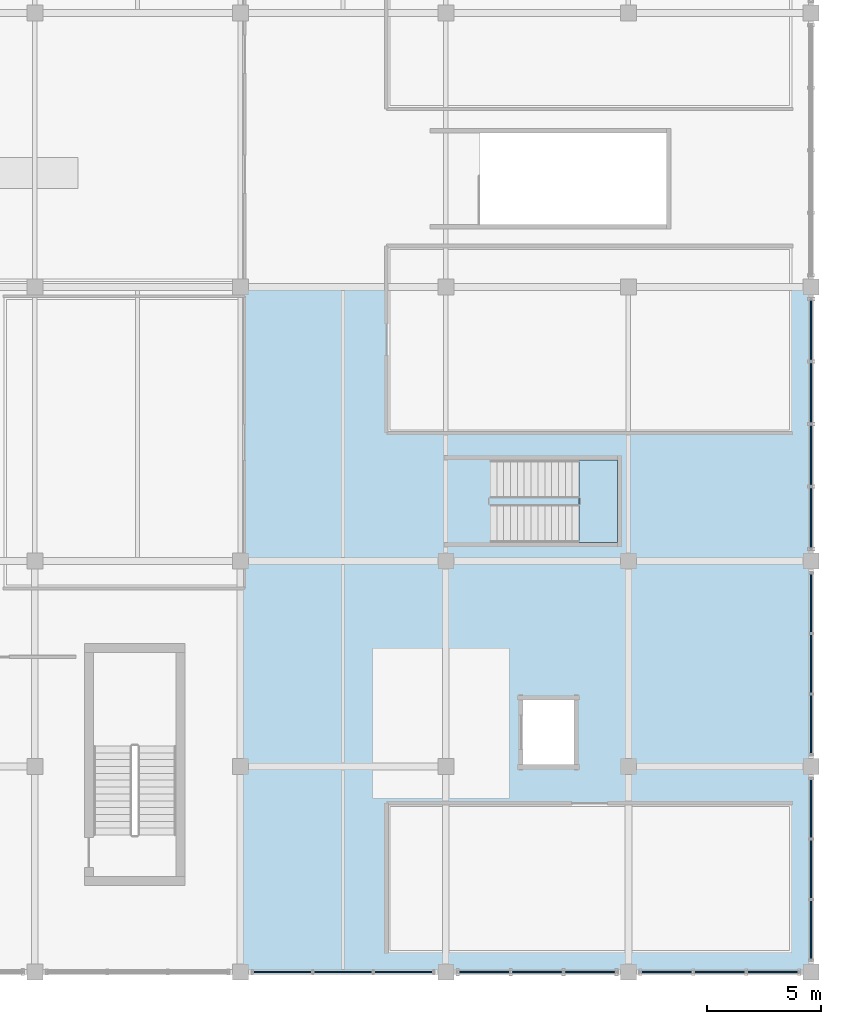
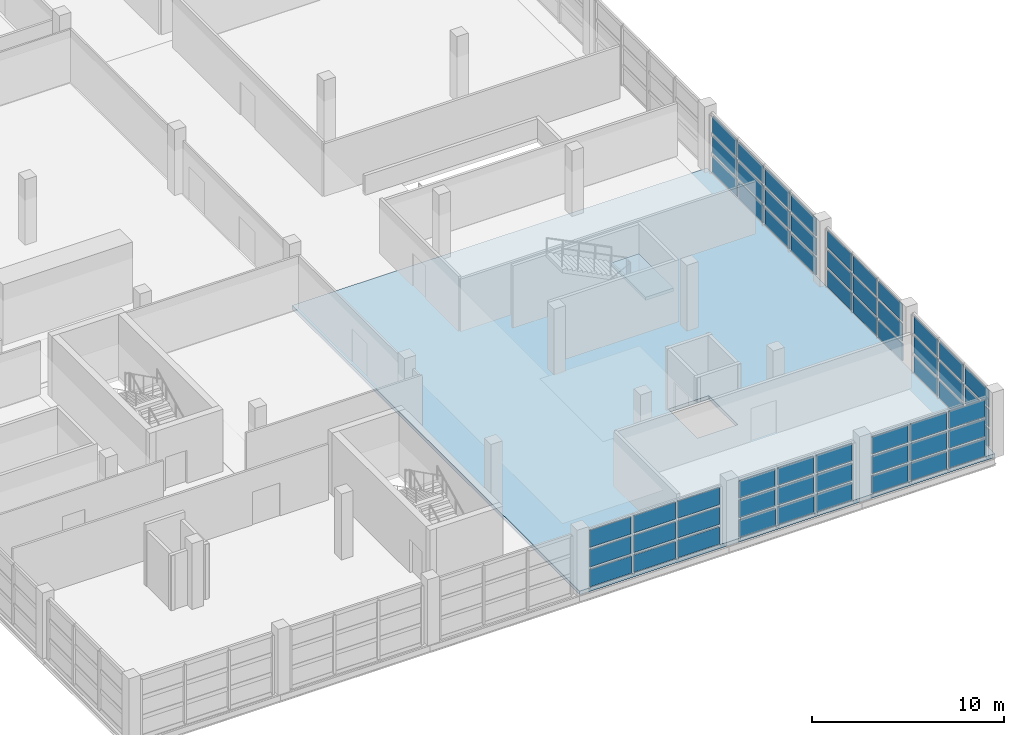
# One storey, part 111 of 136: 57 plates, 2 slabs, 7 elements without a shape of their own.
"""IFC4 building model written with IfcOpenShell, lengths in metres."""

from ifc_helpers import new_model, si_unit, direction, frame, origin, origin_2d, place, context, subcontext, project, spatial, polyline, rectangle, outline, extrude, material, layer, layer_set, type_object, element, aggregate, save


model = new_model("IFC4")

# Units and contexts
model_context = context("Model", 3, precision=1e-05, world=origin(), true_north=direction((0.0, 1.0)))
body_context = subcontext(model_context, "Body", "Model", "MODEL_VIEW")
ifc_project = project(units=[si_unit("LENGTHUNIT", "METRE"), si_unit("AREAUNIT", "SQUARE_METRE"), si_unit("VOLUMEUNIT", "CUBIC_METRE"), si_unit("PLANEANGLEUNIT", "RADIAN"), si_unit("MASSUNIT", "GRAM", prefix="KILO")], contexts=[model_context])

# Site, building, storey
site_placement = place(None, origin())
site = spatial("IfcSite", under=ifc_project, at=site_placement, CompositionType="ELEMENT")
building_placement = place(site_placement, origin())
building = spatial("IfcBuilding", under=site, at=building_placement, Name="Chuanluo Vaults Station", CompositionType="ELEMENT")
storey_placement = place(building_placement, frame((0.0, 0.0, 6.60009765625)))
storey = spatial("IfcBuildingStorey", under=building, at=storey_placement, Name="L01", CompositionType="ELEMENT", Elevation=6.60009765625)

# Curtain wall, plates
ifc_material_1 = material(Name="Anodised aluminium 6063-T6", Category="aluminium")
curtain_wall_type_1 = type_object("IfcCurtainWallType", Name="CW-SYS-13", PredefinedType="NOTDEFINED", material=ifc_material_1)
curtain_wall_1_placement = place(storey_placement, origin())
curtain_wall_1 = element("IfcCurtainWall", 1, at=curtain_wall_1_placement, inside=storey, type_object=curtain_wall_type_1, Name="Retail pavilion L01 facade CW", PredefinedType="NOTDEFINED")
ifc_material_2 = material(Name="Ceramic-fritted spandrel glass", Category="glass")
ifc_layer_1 = layer(ifc_material_2, 0.06396484375)
ifc_layer_set_1 = layer_set([ifc_layer_1], Name="Ceramic-fritted spandrel glass")
plate_type_1 = type_object("IfcPlateType", Name="CWP-SPN-42", PredefinedType="SHEET", material=ifc_layer_set_1)
plate_1_placement = place(storey_placement, frame((178.316650390625, 0.0, 0.080078125), z_axis=(0.0, 0.0, 1.0), x_axis=(-1.0, 0.0, 0.0)))
plate_1 = element("IfcPlate", 2, at=plate_1_placement, type_object=plate_type_1, Name="Retail pavilion L01 facade CW glazed panel 1.1", PredefinedType="SHEET", context=body_context, shape_type="SweptSolid", body=[
    extrude(rectangle(XDim=2.15673828125, YDim=0.06396484375, at=origin_2d()), origin(), (0.0, 0.0, 1.0), 1.090087890625),
])
plate_2_placement = place(storey_placement, frame((176.0, 0.0, 0.080078125), z_axis=(0.0, 0.0, 1.0), x_axis=(-1.0, 0.0, 0.0)))
plate_2 = element("IfcPlate", 3, at=plate_2_placement, type_object=plate_type_1, Name="Retail pavilion L01 facade CW glazed panel 2.1", PredefinedType="SHEET", context=body_context, shape_type="SweptSolid", body=[
    extrude(rectangle(XDim=2.15673828125, YDim=0.06396484375, at=origin_2d()), origin(), (0.0, 0.0, 1.0), 1.090087890625),
])
plate_3_placement = place(storey_placement, frame((173.683349609375, 0.0, 0.080078125), z_axis=(0.0, 0.0, 1.0), x_axis=(-1.0, 0.0, 0.0)))
plate_3 = element("IfcPlate", 4, at=plate_3_placement, type_object=plate_type_1, Name="Retail pavilion L01 facade CW glazed panel 3.1", PredefinedType="SHEET", context=body_context, shape_type="SweptSolid", body=[
    extrude(rectangle(XDim=2.15673828125, YDim=0.06396484375, at=origin_2d()), origin(), (0.0, 0.0, 1.0), 1.090087890625),
])

ifc_material_3 = material(Name="Anodised aluminium 6063-T6", Category="aluminium")
curtain_wall_type_2 = type_object("IfcCurtainWallType", Name="CW-SYS-15", PredefinedType="NOTDEFINED", material=ifc_material_3)
curtain_wall_2_placement = place(storey_placement, origin())
curtain_wall_2 = element("IfcCurtainWall", 5, at=curtain_wall_2_placement, inside=storey, type_object=curtain_wall_type_2, Name="Retail pavilion L01 facade CW", PredefinedType="NOTDEFINED")
plate_4_placement = place(storey_placement, frame((188.0, 7.14990234375, 0.080078125), z_axis=(0.0, 0.0, 1.0), x_axis=(0.0, -1.0, 0.0)))
plate_4 = element("IfcPlate", 6, at=plate_4_placement, type_object=plate_type_1, Name="Retail pavilion L01 facade CW glazed panel 1.1", PredefinedType="SHEET", context=body_context, shape_type="SweptSolid", body=[
    extrude(rectangle(XDim=2.489990234375, YDim=0.06396484375, at=origin_2d()), origin(), (0.0, 0.0, 1.0), 1.090087890625),
])
plate_5_placement = place(storey_placement, frame((188.0, 4.5, 0.080078125), z_axis=(0.0, 0.0, 1.0), x_axis=(0.0, -1.0, 0.0)))
plate_5 = element("IfcPlate", 7, at=plate_5_placement, type_object=plate_type_1, Name="Retail pavilion L01 facade CW glazed panel 2.1", PredefinedType="SHEET", context=body_context, shape_type="SweptSolid", body=[
    extrude(rectangle(XDim=2.489990234375, YDim=0.06396484375, at=origin_2d()), origin(), (0.0, 0.0, 1.0), 1.090087890625),
])
plate_6_placement = place(storey_placement, frame((188.0, 1.85009765625, 0.080078125), z_axis=(0.0, 0.0, 1.0), x_axis=(0.0, -1.0, 0.0)))
plate_6 = element("IfcPlate", 8, at=plate_6_placement, type_object=plate_type_1, Name="Retail pavilion L01 facade CW glazed panel 3.1", PredefinedType="SHEET", context=body_context, shape_type="SweptSolid", body=[
    extrude(rectangle(XDim=2.489990234375, YDim=0.06396484375, at=origin_2d()), origin(), (0.0, 0.0, 1.0), 1.090087890625),
])

ifc_material_4 = material(Name="Anodised aluminium 6063-T6", Category="aluminium")
curtain_wall_type_3 = type_object("IfcCurtainWallType", Name="CW-SYS-17", PredefinedType="NOTDEFINED", material=ifc_material_4)
curtain_wall_3_placement = place(storey_placement, origin())
curtain_wall_3 = element("IfcCurtainWall", 9, at=curtain_wall_3_placement, inside=storey, type_object=curtain_wall_type_3, Name="Retail pavilion L01 facade CW", PredefinedType="NOTDEFINED")
plate_7_placement = place(storey_placement, frame((188.0, 28.106201171875, 0.080078125), z_axis=(0.0, 0.0, 1.0), x_axis=(0.0, -1.0, 0.0)))
plate_7 = element("IfcPlate", 10, at=plate_7_placement, type_object=plate_type_1, Name="Retail pavilion L01 facade CW glazed panel 1.1", PredefinedType="SHEET", context=body_context, shape_type="SweptSolid", body=[
    extrude(rectangle(XDim=2.577392578125, YDim=0.06396484375, at=origin_2d()), origin(), (0.0, 0.0, 1.0), 1.090087890625),
])
plate_8_placement = place(storey_placement, frame((188.0, 25.36865234375, 0.080078125), z_axis=(0.0, 0.0, 1.0), x_axis=(0.0, -1.0, 0.0)))
plate_8 = element("IfcPlate", 11, at=plate_8_placement, type_object=plate_type_1, Name="Retail pavilion L01 facade CW glazed panel 2.1", PredefinedType="SHEET", context=body_context, shape_type="SweptSolid", body=[
    extrude(rectangle(XDim=2.577392578125, YDim=0.06396484375, at=origin_2d()), origin(), (0.0, 0.0, 1.0), 1.090087890625),
])
plate_9_placement = place(storey_placement, frame((188.0, 22.63134765625, 0.080078125), z_axis=(0.0, 0.0, 1.0), x_axis=(0.0, -1.0, 0.0)))
plate_9 = element("IfcPlate", 12, at=plate_9_placement, type_object=plate_type_1, Name="Retail pavilion L01 facade CW glazed panel 3.1", PredefinedType="SHEET", context=body_context, shape_type="SweptSolid", body=[
    extrude(rectangle(XDim=2.577392578125, YDim=0.06396484375, at=origin_2d()), origin(), (0.0, 0.0, 1.0), 1.090087890625),
])
plate_10_placement = place(storey_placement, frame((188.0, 19.893798828125, 0.080078125), z_axis=(0.0, 0.0, 1.0), x_axis=(0.0, -1.0, 0.0)))
plate_10 = element("IfcPlate", 13, at=plate_10_placement, type_object=plate_type_1, Name="Retail pavilion L01 facade CW glazed panel 4.1", PredefinedType="SHEET", context=body_context, shape_type="SweptSolid", body=[
    extrude(rectangle(XDim=2.577392578125, YDim=0.06396484375, at=origin_2d()), origin(), (0.0, 0.0, 1.0), 1.090087890625),
])

ifc_material_5 = material(Name="Anodised aluminium 6063-T6", Category="aluminium")
curtain_wall_type_4 = type_object("IfcCurtainWallType", Name="CW-SYS-12", PredefinedType="NOTDEFINED", material=ifc_material_5)
curtain_wall_4_placement = place(storey_placement, origin())
curtain_wall_4 = element("IfcCurtainWall", 14, at=curtain_wall_4_placement, inside=storey, type_object=curtain_wall_type_4, Name="Retail pavilion L01 facade CW", PredefinedType="NOTDEFINED")
ifc_material_6 = material(Name="Ceramic-fritted spandrel glass", Category="glass")
ifc_layer_2 = layer(ifc_material_6, 0.070068359375)
ifc_layer_set_2 = layer_set([ifc_layer_2], Name="Ceramic-fritted spandrel glass")
plate_type_2 = type_object("IfcPlateType", Name="CWP-SPN-50", PredefinedType="SHEET", material=ifc_layer_set_2)
plate_11_placement = place(storey_placement, frame((170.14990234375, 0.0, 0.080078125), z_axis=(0.0, 0.0, 1.0), x_axis=(-1.0, 0.0, 0.0)))
plate_11 = element("IfcPlate", 15, at=plate_11_placement, type_object=plate_type_2, Name="Retail pavilion L01 facade CW glazed panel 1.1", PredefinedType="SHEET", context=body_context, shape_type="SweptSolid", body=[
    extrude(rectangle(XDim=2.489990234375, YDim=0.070068359375, at=origin_2d()), origin(), (0.0, 0.0, 1.0), 1.090087890625),
])
plate_12_placement = place(storey_placement, frame((167.5, 0.0, 0.080078125), z_axis=(0.0, 0.0, 1.0), x_axis=(-1.0, 0.0, 0.0)))
plate_12 = element("IfcPlate", 16, at=plate_12_placement, type_object=plate_type_2, Name="Retail pavilion L01 facade CW glazed panel 2.1", PredefinedType="SHEET", context=body_context, shape_type="SweptSolid", body=[
    extrude(rectangle(XDim=2.489990234375, YDim=0.070068359375, at=origin_2d()), origin(), (0.0, 0.0, 1.0), 1.090087890625),
])
plate_13_placement = place(storey_placement, frame((164.85009765625, 0.0, 0.080078125), z_axis=(0.0, 0.0, 1.0), x_axis=(-1.0, 0.0, 0.0)))
plate_13 = element("IfcPlate", 17, at=plate_13_placement, type_object=plate_type_2, Name="Retail pavilion L01 facade CW glazed panel 3.1", PredefinedType="SHEET", context=body_context, shape_type="SweptSolid", body=[
    extrude(rectangle(XDim=2.489990234375, YDim=0.070068359375, at=origin_2d()), origin(), (0.0, 0.0, 1.0), 1.090087890625),
])

ifc_material_7 = material(Name="Anodised aluminium 6063-T6", Category="aluminium")
curtain_wall_type_5 = type_object("IfcCurtainWallType", Name="CW-SYS-14", PredefinedType="NOTDEFINED", material=ifc_material_7)
curtain_wall_5_placement = place(storey_placement, origin())
curtain_wall_5 = element("IfcCurtainWall", 18, at=curtain_wall_5_placement, inside=storey, type_object=curtain_wall_type_5, Name="Retail pavilion L01 facade CW", PredefinedType="NOTDEFINED")
plate_14_placement = place(storey_placement, frame((186.316650390625, 0.0, 0.080078125), z_axis=(0.0, 0.0, 1.0), x_axis=(-1.0, 0.0, 0.0)))
plate_14 = element("IfcPlate", 19, at=plate_14_placement, type_object=plate_type_2, Name="Retail pavilion L01 facade CW glazed panel 1.1", PredefinedType="SHEET", context=body_context, shape_type="SweptSolid", body=[
    extrude(rectangle(XDim=2.15673828125, YDim=0.070068359375, at=origin_2d()), origin(), (0.0, 0.0, 1.0), 1.090087890625),
])
plate_15_placement = place(storey_placement, frame((184.0, 0.0, 0.080078125), z_axis=(0.0, 0.0, 1.0), x_axis=(-1.0, 0.0, 0.0)))
plate_15 = element("IfcPlate", 20, at=plate_15_placement, type_object=plate_type_2, Name="Retail pavilion L01 facade CW glazed panel 2.1", PredefinedType="SHEET", context=body_context, shape_type="SweptSolid", body=[
    extrude(rectangle(XDim=2.15673828125, YDim=0.070068359375, at=origin_2d()), origin(), (0.0, 0.0, 1.0), 1.090087890625),
])
plate_16_placement = place(storey_placement, frame((181.683349609375, 0.0, 0.080078125), z_axis=(0.0, 0.0, 1.0), x_axis=(-1.0, 0.0, 0.0)))
plate_16 = element("IfcPlate", 21, at=plate_16_placement, type_object=plate_type_2, Name="Retail pavilion L01 facade CW glazed panel 3.1", PredefinedType="SHEET", context=body_context, shape_type="SweptSolid", body=[
    extrude(rectangle(XDim=2.15673828125, YDim=0.070068359375, at=origin_2d()), origin(), (0.0, 0.0, 1.0), 1.090087890625),
])

ifc_material_8 = material(Name="Anodised aluminium 6063-T6", Category="aluminium")
curtain_wall_type_6 = type_object("IfcCurtainWallType", Name="CW-SYS-16", PredefinedType="NOTDEFINED", material=ifc_material_8)
curtain_wall_6_placement = place(storey_placement, origin())
curtain_wall_6 = element("IfcCurtainWall", 22, at=curtain_wall_6_placement, inside=storey, type_object=curtain_wall_type_6, Name="Retail pavilion L01 facade CW", PredefinedType="NOTDEFINED")
plate_17_placement = place(storey_placement, frame((188.0, 16.14990234375, 0.080078125), z_axis=(0.0, 0.0, 1.0), x_axis=(0.0, -1.0, 0.0)))
plate_17 = element("IfcPlate", 23, at=plate_17_placement, type_object=plate_type_2, Name="Retail pavilion L01 facade CW glazed panel 1.1", PredefinedType="SHEET", context=body_context, shape_type="SweptSolid", body=[
    extrude(rectangle(XDim=2.489990234375, YDim=0.070068359375, at=origin_2d()), origin(), (0.0, 0.0, 1.0), 1.090087890625),
])
plate_18_placement = place(storey_placement, frame((188.0, 13.5, 0.080078125), z_axis=(0.0, 0.0, 1.0), x_axis=(0.0, -1.0, 0.0)))
plate_18 = element("IfcPlate", 24, at=plate_18_placement, type_object=plate_type_2, Name="Retail pavilion L01 facade CW glazed panel 2.1", PredefinedType="SHEET", context=body_context, shape_type="SweptSolid", body=[
    extrude(rectangle(XDim=2.489990234375, YDim=0.070068359375, at=origin_2d()), origin(), (0.0, 0.0, 1.0), 1.090087890625),
])
plate_19_placement = place(storey_placement, frame((188.0, 10.85009765625, 0.080078125), z_axis=(0.0, 0.0, 1.0), x_axis=(0.0, -1.0, 0.0)))
plate_19 = element("IfcPlate", 25, at=plate_19_placement, type_object=plate_type_2, Name="Retail pavilion L01 facade CW glazed panel 3.1", PredefinedType="SHEET", context=body_context, shape_type="SweptSolid", body=[
    extrude(rectangle(XDim=2.489990234375, YDim=0.070068359375, at=origin_2d()), origin(), (0.0, 0.0, 1.0), 1.090087890625),
])

# Plate
ifc_material_9 = material(Name="Double-silver Low-E laminated glass", Category="glass")
ifc_layer_3 = layer(ifc_material_9, 0.0439453125)
ifc_layer_set_3 = layer_set([ifc_layer_3], Name="Double-silver Low-E laminated glass")
plate_type_3 = type_object("IfcPlateType", Name="CWP-VIS-28", PredefinedType="CURTAIN_PANEL", material=ifc_layer_set_3)
plate_20_placement = place(storey_placement, frame((170.14990234375, 0.0, 1.330078125), z_axis=(0.0, 0.0, 1.0), x_axis=(-1.0, 0.0, 0.0)))
plate_20 = element("IfcPlate", 26, at=plate_20_placement, type_object=plate_type_3, Name="Retail pavilion L01 facade CW glazed panel 1.2", PredefinedType="CURTAIN_PANEL", context=body_context, shape_type="SweptSolid", body=[
    extrude(rectangle(XDim=2.489990234375, YDim=0.0439453125, at=origin_2d()), origin(), (0.0, 0.0, 1.0), 1.090087890625),
])

plate_21_placement = place(storey_placement, frame((170.14990234375, 0.0, 2.580078125), z_axis=(0.0, 0.0, 1.0), x_axis=(-1.0, 0.0, 0.0)))
plate_21 = element("IfcPlate", 27, at=plate_21_placement, type_object=plate_type_3, Name="Retail pavilion L01 facade CW glazed panel 1.3", PredefinedType="CURTAIN_PANEL", context=body_context, shape_type="SweptSolid", body=[
    extrude(rectangle(XDim=2.489990234375, YDim=0.0439453125, at=origin_2d()), origin(), (0.0, 0.0, 1.0), 1.090087890625),
])

plate_22_placement = place(storey_placement, frame((167.5, 0.0, 1.330078125), z_axis=(0.0, 0.0, 1.0), x_axis=(-1.0, 0.0, 0.0)))
plate_22 = element("IfcPlate", 28, at=plate_22_placement, type_object=plate_type_3, Name="Retail pavilion L01 facade CW glazed panel 2.2", PredefinedType="CURTAIN_PANEL", context=body_context, shape_type="SweptSolid", body=[
    extrude(rectangle(XDim=2.489990234375, YDim=0.0439453125, at=origin_2d()), origin(), (0.0, 0.0, 1.0), 1.090087890625),
])

plate_23_placement = place(storey_placement, frame((167.5, 0.0, 2.580078125), z_axis=(0.0, 0.0, 1.0), x_axis=(-1.0, 0.0, 0.0)))
plate_23 = element("IfcPlate", 29, at=plate_23_placement, type_object=plate_type_3, Name="Retail pavilion L01 facade CW glazed panel 2.3", PredefinedType="CURTAIN_PANEL", context=body_context, shape_type="SweptSolid", body=[
    extrude(rectangle(XDim=2.489990234375, YDim=0.0439453125, at=origin_2d()), origin(), (0.0, 0.0, 1.0), 1.090087890625),
])

plate_24_placement = place(storey_placement, frame((164.85009765625, 0.0, 1.330078125), z_axis=(0.0, 0.0, 1.0), x_axis=(-1.0, 0.0, 0.0)))
plate_24 = element("IfcPlate", 30, at=plate_24_placement, type_object=plate_type_3, Name="Retail pavilion L01 facade CW glazed panel 3.2", PredefinedType="CURTAIN_PANEL", context=body_context, shape_type="SweptSolid", body=[
    extrude(rectangle(XDim=2.489990234375, YDim=0.0439453125, at=origin_2d()), origin(), (0.0, 0.0, 1.0), 1.090087890625),
])

plate_25_placement = place(storey_placement, frame((164.85009765625, 0.0, 2.580078125), z_axis=(0.0, 0.0, 1.0), x_axis=(-1.0, 0.0, 0.0)))
plate_25 = element("IfcPlate", 31, at=plate_25_placement, type_object=plate_type_3, Name="Retail pavilion L01 facade CW glazed panel 3.3", PredefinedType="CURTAIN_PANEL", context=body_context, shape_type="SweptSolid", body=[
    extrude(rectangle(XDim=2.489990234375, YDim=0.0439453125, at=origin_2d()), origin(), (0.0, 0.0, 1.0), 1.090087890625),
])

aggregate(curtain_wall_4, [plate_11, plate_20, plate_21, plate_12, plate_22, plate_23, plate_13, plate_24, plate_25])

plate_26_placement = place(storey_placement, frame((188.0, 16.14990234375, 1.330078125), z_axis=(0.0, 0.0, 1.0), x_axis=(0.0, -1.0, 0.0)))
plate_26 = element("IfcPlate", 32, at=plate_26_placement, type_object=plate_type_3, Name="Retail pavilion L01 facade CW glazed panel 1.2", PredefinedType="CURTAIN_PANEL", context=body_context, shape_type="SweptSolid", body=[
    extrude(rectangle(XDim=2.489990234375, YDim=0.0439453125, at=origin_2d()), origin(), (0.0, 0.0, 1.0), 1.090087890625),
])

plate_27_placement = place(storey_placement, frame((188.0, 16.14990234375, 2.580078125), z_axis=(0.0, 0.0, 1.0), x_axis=(0.0, -1.0, 0.0)))
plate_27 = element("IfcPlate", 33, at=plate_27_placement, type_object=plate_type_3, Name="Retail pavilion L01 facade CW glazed panel 1.3", PredefinedType="CURTAIN_PANEL", context=body_context, shape_type="SweptSolid", body=[
    extrude(rectangle(XDim=2.489990234375, YDim=0.0439453125, at=origin_2d()), origin(), (0.0, 0.0, 1.0), 1.090087890625),
])

plate_28_placement = place(storey_placement, frame((188.0, 13.5, 1.330078125), z_axis=(0.0, 0.0, 1.0), x_axis=(0.0, -1.0, 0.0)))
plate_28 = element("IfcPlate", 34, at=plate_28_placement, type_object=plate_type_3, Name="Retail pavilion L01 facade CW glazed panel 2.2", PredefinedType="CURTAIN_PANEL", context=body_context, shape_type="SweptSolid", body=[
    extrude(rectangle(XDim=2.489990234375, YDim=0.0439453125, at=origin_2d()), origin(), (0.0, 0.0, 1.0), 1.090087890625),
])

plate_29_placement = place(storey_placement, frame((188.0, 13.5, 2.580078125), z_axis=(0.0, 0.0, 1.0), x_axis=(0.0, -1.0, 0.0)))
plate_29 = element("IfcPlate", 35, at=plate_29_placement, type_object=plate_type_3, Name="Retail pavilion L01 facade CW glazed panel 2.3", PredefinedType="CURTAIN_PANEL", context=body_context, shape_type="SweptSolid", body=[
    extrude(rectangle(XDim=2.489990234375, YDim=0.0439453125, at=origin_2d()), origin(), (0.0, 0.0, 1.0), 1.090087890625),
])

plate_30_placement = place(storey_placement, frame((188.0, 10.85009765625, 1.330078125), z_axis=(0.0, 0.0, 1.0), x_axis=(0.0, -1.0, 0.0)))
plate_30 = element("IfcPlate", 36, at=plate_30_placement, type_object=plate_type_3, Name="Retail pavilion L01 facade CW glazed panel 3.2", PredefinedType="CURTAIN_PANEL", context=body_context, shape_type="SweptSolid", body=[
    extrude(rectangle(XDim=2.489990234375, YDim=0.0439453125, at=origin_2d()), origin(), (0.0, 0.0, 1.0), 1.090087890625),
])

plate_31_placement = place(storey_placement, frame((188.0, 10.85009765625, 2.580078125), z_axis=(0.0, 0.0, 1.0), x_axis=(0.0, -1.0, 0.0)))
plate_31 = element("IfcPlate", 37, at=plate_31_placement, type_object=plate_type_3, Name="Retail pavilion L01 facade CW glazed panel 3.3", PredefinedType="CURTAIN_PANEL", context=body_context, shape_type="SweptSolid", body=[
    extrude(rectangle(XDim=2.489990234375, YDim=0.0439453125, at=origin_2d()), origin(), (0.0, 0.0, 1.0), 1.090087890625),
])

aggregate(curtain_wall_6, [plate_17, plate_26, plate_27, plate_18, plate_28, plate_29, plate_19, plate_30, plate_31])

ifc_material_10 = material(Name="Double-silver Low-E laminated glass", Category="glass")
ifc_layer_4 = layer(ifc_material_10, 0.048095703125)
ifc_layer_set_4 = layer_set([ifc_layer_4], Name="Double-silver Low-E laminated glass")
plate_type_4 = type_object("IfcPlateType", Name="CWP-VIS-32", PredefinedType="CURTAIN_PANEL", material=ifc_layer_set_4)
plate_32_placement = place(storey_placement, frame((188.0, 7.14990234375, 1.330078125), z_axis=(0.0, 0.0, 1.0), x_axis=(0.0, -1.0, 0.0)))
plate_32 = element("IfcPlate", 38, at=plate_32_placement, type_object=plate_type_4, Name="Retail pavilion L01 facade CW glazed panel 1.2", PredefinedType="CURTAIN_PANEL", context=body_context, shape_type="SweptSolid", body=[
    extrude(rectangle(XDim=2.489990234375, YDim=0.048095703125, at=origin_2d()), origin(), (0.0, 0.0, 1.0), 1.090087890625),
])

plate_33_placement = place(storey_placement, frame((188.0, 7.14990234375, 2.580078125), z_axis=(0.0, 0.0, 1.0), x_axis=(0.0, -1.0, 0.0)))
plate_33 = element("IfcPlate", 39, at=plate_33_placement, type_object=plate_type_4, Name="Retail pavilion L01 facade CW glazed panel 1.3", PredefinedType="CURTAIN_PANEL", context=body_context, shape_type="SweptSolid", body=[
    extrude(rectangle(XDim=2.489990234375, YDim=0.048095703125, at=origin_2d()), origin(), (0.0, 0.0, 1.0), 1.090087890625),
])

plate_34_placement = place(storey_placement, frame((188.0, 4.5, 1.330078125), z_axis=(0.0, 0.0, 1.0), x_axis=(0.0, -1.0, 0.0)))
plate_34 = element("IfcPlate", 40, at=plate_34_placement, type_object=plate_type_4, Name="Retail pavilion L01 facade CW glazed panel 2.2", PredefinedType="CURTAIN_PANEL", context=body_context, shape_type="SweptSolid", body=[
    extrude(rectangle(XDim=2.489990234375, YDim=0.048095703125, at=origin_2d()), origin(), (0.0, 0.0, 1.0), 1.090087890625),
])

plate_35_placement = place(storey_placement, frame((188.0, 4.5, 2.580078125), z_axis=(0.0, 0.0, 1.0), x_axis=(0.0, -1.0, 0.0)))
plate_35 = element("IfcPlate", 41, at=plate_35_placement, type_object=plate_type_4, Name="Retail pavilion L01 facade CW glazed panel 2.3", PredefinedType="CURTAIN_PANEL", context=body_context, shape_type="SweptSolid", body=[
    extrude(rectangle(XDim=2.489990234375, YDim=0.048095703125, at=origin_2d()), origin(), (0.0, 0.0, 1.0), 1.090087890625),
])

plate_36_placement = place(storey_placement, frame((188.0, 1.85009765625, 1.330078125), z_axis=(0.0, 0.0, 1.0), x_axis=(0.0, -1.0, 0.0)))
plate_36 = element("IfcPlate", 42, at=plate_36_placement, type_object=plate_type_4, Name="Retail pavilion L01 facade CW glazed panel 3.2", PredefinedType="CURTAIN_PANEL", context=body_context, shape_type="SweptSolid", body=[
    extrude(rectangle(XDim=2.489990234375, YDim=0.048095703125, at=origin_2d()), origin(), (0.0, 0.0, 1.0), 1.090087890625),
])

plate_37_placement = place(storey_placement, frame((188.0, 1.85009765625, 2.580078125), z_axis=(0.0, 0.0, 1.0), x_axis=(0.0, -1.0, 0.0)))
plate_37 = element("IfcPlate", 43, at=plate_37_placement, type_object=plate_type_4, Name="Retail pavilion L01 facade CW glazed panel 3.3", PredefinedType="CURTAIN_PANEL", context=body_context, shape_type="SweptSolid", body=[
    extrude(rectangle(XDim=2.489990234375, YDim=0.048095703125, at=origin_2d()), origin(), (0.0, 0.0, 1.0), 1.090087890625),
])

aggregate(curtain_wall_2, [plate_4, plate_32, plate_33, plate_5, plate_34, plate_35, plate_6, plate_36, plate_37])

ifc_material_11 = material(Name="Double-silver Low-E laminated glass", Category="glass")
ifc_layer_5 = layer(ifc_material_11, 0.053955078125)
ifc_layer_set_5 = layer_set([ifc_layer_5], Name="Double-silver Low-E laminated glass")
plate_type_5 = type_object("IfcPlateType", Name="CWP-VIS-36", PredefinedType="CURTAIN_PANEL", material=ifc_layer_set_5)
plate_38_placement = place(storey_placement, frame((186.316650390625, 0.0, 1.330078125), z_axis=(0.0, 0.0, 1.0), x_axis=(-1.0, 0.0, 0.0)))
plate_38 = element("IfcPlate", 44, at=plate_38_placement, type_object=plate_type_5, Name="Retail pavilion L01 facade CW glazed panel 1.2", PredefinedType="CURTAIN_PANEL", context=body_context, shape_type="SweptSolid", body=[
    extrude(rectangle(XDim=2.15673828125, YDim=0.053955078125, at=origin_2d()), origin(), (0.0, 0.0, 1.0), 1.090087890625),
])

plate_39_placement = place(storey_placement, frame((186.316650390625, 0.0, 2.580078125), z_axis=(0.0, 0.0, 1.0), x_axis=(-1.0, 0.0, 0.0)))
plate_39 = element("IfcPlate", 45, at=plate_39_placement, type_object=plate_type_5, Name="Retail pavilion L01 facade CW glazed panel 1.3", PredefinedType="CURTAIN_PANEL", context=body_context, shape_type="SweptSolid", body=[
    extrude(rectangle(XDim=2.15673828125, YDim=0.053955078125, at=origin_2d()), origin(), (0.0, 0.0, 1.0), 1.090087890625),
])

plate_40_placement = place(storey_placement, frame((184.0, 0.0, 1.330078125), z_axis=(0.0, 0.0, 1.0), x_axis=(-1.0, 0.0, 0.0)))
plate_40 = element("IfcPlate", 46, at=plate_40_placement, type_object=plate_type_5, Name="Retail pavilion L01 facade CW glazed panel 2.2", PredefinedType="CURTAIN_PANEL", context=body_context, shape_type="SweptSolid", body=[
    extrude(rectangle(XDim=2.15673828125, YDim=0.053955078125, at=origin_2d()), origin(), (0.0, 0.0, 1.0), 1.090087890625),
])

plate_41_placement = place(storey_placement, frame((184.0, 0.0, 2.580078125), z_axis=(0.0, 0.0, 1.0), x_axis=(-1.0, 0.0, 0.0)))
plate_41 = element("IfcPlate", 47, at=plate_41_placement, type_object=plate_type_5, Name="Retail pavilion L01 facade CW glazed panel 2.3", PredefinedType="CURTAIN_PANEL", context=body_context, shape_type="SweptSolid", body=[
    extrude(rectangle(XDim=2.15673828125, YDim=0.053955078125, at=origin_2d()), origin(), (0.0, 0.0, 1.0), 1.090087890625),
])

plate_42_placement = place(storey_placement, frame((181.683349609375, 0.0, 1.330078125), z_axis=(0.0, 0.0, 1.0), x_axis=(-1.0, 0.0, 0.0)))
plate_42 = element("IfcPlate", 48, at=plate_42_placement, type_object=plate_type_5, Name="Retail pavilion L01 facade CW glazed panel 3.2", PredefinedType="CURTAIN_PANEL", context=body_context, shape_type="SweptSolid", body=[
    extrude(rectangle(XDim=2.15673828125, YDim=0.053955078125, at=origin_2d()), origin(), (0.0, 0.0, 1.0), 1.090087890625),
])

plate_43_placement = place(storey_placement, frame((181.683349609375, 0.0, 2.580078125), z_axis=(0.0, 0.0, 1.0), x_axis=(-1.0, 0.0, 0.0)))
plate_43 = element("IfcPlate", 49, at=plate_43_placement, type_object=plate_type_5, Name="Retail pavilion L01 facade CW glazed panel 3.3", PredefinedType="CURTAIN_PANEL", context=body_context, shape_type="SweptSolid", body=[
    extrude(rectangle(XDim=2.15673828125, YDim=0.053955078125, at=origin_2d()), origin(), (0.0, 0.0, 1.0), 1.090087890625),
])

aggregate(curtain_wall_5, [plate_14, plate_38, plate_39, plate_15, plate_40, plate_41, plate_16, plate_42, plate_43])

ifc_material_12 = material(Name="Double-silver Low-E laminated glass", Category="glass")
ifc_layer_6 = layer(ifc_material_12, 0.05810546875)
ifc_layer_set_6 = layer_set([ifc_layer_6], Name="Double-silver Low-E laminated glass")
plate_type_6 = type_object("IfcPlateType", Name="CWP-VIS-38", PredefinedType="CURTAIN_PANEL", material=ifc_layer_set_6)
plate_44_placement = place(storey_placement, frame((178.316650390625, 0.0, 1.330078125), z_axis=(0.0, 0.0, 1.0), x_axis=(-1.0, 0.0, 0.0)))
plate_44 = element("IfcPlate", 50, at=plate_44_placement, type_object=plate_type_6, Name="Retail pavilion L01 facade CW glazed panel 1.2", PredefinedType="CURTAIN_PANEL", context=body_context, shape_type="SweptSolid", body=[
    extrude(rectangle(XDim=2.15673828125, YDim=0.05810546875, at=origin_2d()), origin(), (0.0, 0.0, 1.0), 1.090087890625),
])

plate_45_placement = place(storey_placement, frame((178.316650390625, 0.0, 2.580078125), z_axis=(0.0, 0.0, 1.0), x_axis=(-1.0, 0.0, 0.0)))
plate_45 = element("IfcPlate", 51, at=plate_45_placement, type_object=plate_type_6, Name="Retail pavilion L01 facade CW glazed panel 1.3", PredefinedType="CURTAIN_PANEL", context=body_context, shape_type="SweptSolid", body=[
    extrude(rectangle(XDim=2.15673828125, YDim=0.05810546875, at=origin_2d()), origin(), (0.0, 0.0, 1.0), 1.090087890625),
])

plate_46_placement = place(storey_placement, frame((176.0, 0.0, 1.330078125), z_axis=(0.0, 0.0, 1.0), x_axis=(-1.0, 0.0, 0.0)))
plate_46 = element("IfcPlate", 52, at=plate_46_placement, type_object=plate_type_6, Name="Retail pavilion L01 facade CW glazed panel 2.2", PredefinedType="CURTAIN_PANEL", context=body_context, shape_type="SweptSolid", body=[
    extrude(rectangle(XDim=2.15673828125, YDim=0.05810546875, at=origin_2d()), origin(), (0.0, 0.0, 1.0), 1.090087890625),
])

plate_47_placement = place(storey_placement, frame((176.0, 0.0, 2.580078125), z_axis=(0.0, 0.0, 1.0), x_axis=(-1.0, 0.0, 0.0)))
plate_47 = element("IfcPlate", 53, at=plate_47_placement, type_object=plate_type_6, Name="Retail pavilion L01 facade CW glazed panel 2.3", PredefinedType="CURTAIN_PANEL", context=body_context, shape_type="SweptSolid", body=[
    extrude(rectangle(XDim=2.15673828125, YDim=0.05810546875, at=origin_2d()), origin(), (0.0, 0.0, 1.0), 1.090087890625),
])

plate_48_placement = place(storey_placement, frame((173.683349609375, 0.0, 1.330078125), z_axis=(0.0, 0.0, 1.0), x_axis=(-1.0, 0.0, 0.0)))
plate_48 = element("IfcPlate", 54, at=plate_48_placement, type_object=plate_type_6, Name="Retail pavilion L01 facade CW glazed panel 3.2", PredefinedType="CURTAIN_PANEL", context=body_context, shape_type="SweptSolid", body=[
    extrude(rectangle(XDim=2.15673828125, YDim=0.05810546875, at=origin_2d()), origin(), (0.0, 0.0, 1.0), 1.090087890625),
])

plate_49_placement = place(storey_placement, frame((173.683349609375, 0.0, 2.580078125), z_axis=(0.0, 0.0, 1.0), x_axis=(-1.0, 0.0, 0.0)))
plate_49 = element("IfcPlate", 55, at=plate_49_placement, type_object=plate_type_6, Name="Retail pavilion L01 facade CW glazed panel 3.3", PredefinedType="CURTAIN_PANEL", context=body_context, shape_type="SweptSolid", body=[
    extrude(rectangle(XDim=2.15673828125, YDim=0.05810546875, at=origin_2d()), origin(), (0.0, 0.0, 1.0), 1.090087890625),
])

aggregate(curtain_wall_1, [plate_1, plate_44, plate_45, plate_2, plate_46, plate_47, plate_3, plate_48, plate_49])

plate_50_placement = place(storey_placement, frame((188.0, 28.106201171875, 1.330078125), z_axis=(0.0, 0.0, 1.0), x_axis=(0.0, -1.0, 0.0)))
plate_50 = element("IfcPlate", 56, at=plate_50_placement, type_object=plate_type_6, Name="Retail pavilion L01 facade CW glazed panel 1.2", PredefinedType="CURTAIN_PANEL", context=body_context, shape_type="SweptSolid", body=[
    extrude(rectangle(XDim=2.577392578125, YDim=0.05810546875, at=origin_2d()), origin(), (0.0, 0.0, 1.0), 1.090087890625),
])

plate_51_placement = place(storey_placement, frame((188.0, 28.106201171875, 2.580078125), z_axis=(0.0, 0.0, 1.0), x_axis=(0.0, -1.0, 0.0)))
plate_51 = element("IfcPlate", 57, at=plate_51_placement, type_object=plate_type_6, Name="Retail pavilion L01 facade CW glazed panel 1.3", PredefinedType="CURTAIN_PANEL", context=body_context, shape_type="SweptSolid", body=[
    extrude(rectangle(XDim=2.577392578125, YDim=0.05810546875, at=origin_2d()), origin(), (0.0, 0.0, 1.0), 1.090087890625),
])

plate_52_placement = place(storey_placement, frame((188.0, 25.36865234375, 1.330078125), z_axis=(0.0, 0.0, 1.0), x_axis=(0.0, -1.0, 0.0)))
plate_52 = element("IfcPlate", 58, at=plate_52_placement, type_object=plate_type_6, Name="Retail pavilion L01 facade CW glazed panel 2.2", PredefinedType="CURTAIN_PANEL", context=body_context, shape_type="SweptSolid", body=[
    extrude(rectangle(XDim=2.577392578125, YDim=0.05810546875, at=origin_2d()), origin(), (0.0, 0.0, 1.0), 1.090087890625),
])

plate_53_placement = place(storey_placement, frame((188.0, 25.36865234375, 2.580078125), z_axis=(0.0, 0.0, 1.0), x_axis=(0.0, -1.0, 0.0)))
plate_53 = element("IfcPlate", 59, at=plate_53_placement, type_object=plate_type_6, Name="Retail pavilion L01 facade CW glazed panel 2.3", PredefinedType="CURTAIN_PANEL", context=body_context, shape_type="SweptSolid", body=[
    extrude(rectangle(XDim=2.577392578125, YDim=0.05810546875, at=origin_2d()), origin(), (0.0, 0.0, 1.0), 1.090087890625),
])

plate_54_placement = place(storey_placement, frame((188.0, 22.63134765625, 1.330078125), z_axis=(0.0, 0.0, 1.0), x_axis=(0.0, -1.0, 0.0)))
plate_54 = element("IfcPlate", 60, at=plate_54_placement, type_object=plate_type_6, Name="Retail pavilion L01 facade CW glazed panel 3.2", PredefinedType="CURTAIN_PANEL", context=body_context, shape_type="SweptSolid", body=[
    extrude(rectangle(XDim=2.577392578125, YDim=0.05810546875, at=origin_2d()), origin(), (0.0, 0.0, 1.0), 1.090087890625),
])

plate_55_placement = place(storey_placement, frame((188.0, 22.63134765625, 2.580078125), z_axis=(0.0, 0.0, 1.0), x_axis=(0.0, -1.0, 0.0)))
plate_55 = element("IfcPlate", 61, at=plate_55_placement, type_object=plate_type_6, Name="Retail pavilion L01 facade CW glazed panel 3.3", PredefinedType="CURTAIN_PANEL", context=body_context, shape_type="SweptSolid", body=[
    extrude(rectangle(XDim=2.577392578125, YDim=0.05810546875, at=origin_2d()), origin(), (0.0, 0.0, 1.0), 1.090087890625),
])

plate_56_placement = place(storey_placement, frame((188.0, 19.893798828125, 1.330078125), z_axis=(0.0, 0.0, 1.0), x_axis=(0.0, -1.0, 0.0)))
plate_56 = element("IfcPlate", 62, at=plate_56_placement, type_object=plate_type_6, Name="Retail pavilion L01 facade CW glazed panel 4.2", PredefinedType="CURTAIN_PANEL", context=body_context, shape_type="SweptSolid", body=[
    extrude(rectangle(XDim=2.577392578125, YDim=0.05810546875, at=origin_2d()), origin(), (0.0, 0.0, 1.0), 1.090087890625),
])

plate_57_placement = place(storey_placement, frame((188.0, 19.893798828125, 2.580078125), z_axis=(0.0, 0.0, 1.0), x_axis=(0.0, -1.0, 0.0)))
plate_57 = element("IfcPlate", 63, at=plate_57_placement, type_object=plate_type_6, Name="Retail pavilion L01 facade CW glazed panel 4.3", PredefinedType="CURTAIN_PANEL", context=body_context, shape_type="SweptSolid", body=[
    extrude(rectangle(XDim=2.577392578125, YDim=0.05810546875, at=origin_2d()), origin(), (0.0, 0.0, 1.0), 1.090087890625),
])

aggregate(curtain_wall_3, [plate_7, plate_50, plate_51, plate_8, plate_52, plate_53, plate_9, plate_54, plate_55, plate_10, plate_56, plate_57])

# Stair, slab
ifc_material_13 = material(Name="Concrete C40", Category="concrete")
stair_type = type_object("IfcStairType", Name="STR-TWO-1600", PredefinedType="HALF_TURN_STAIR", material=ifc_material_13)
stair_placement = place(storey_placement, origin())
stair = element("IfcStair", 64, at=stair_placement, inside=storey, type_object=stair_type, Name="L01 ST-27", PredefinedType="HALF_TURN_STAIR")
ifc_material_14 = material(Name="Concrete C40", Category="concrete")
ifc_layer_7 = layer(ifc_material_14, 0.18994140625)
ifc_layer_set_7 = layer_set([ifc_layer_7], Name="Concrete C40")
slab_type_1 = type_object("IfcSlabType", Name="SLB-LND-190", PredefinedType="LANDING", material=ifc_layer_set_7)
slab_1_placement = place(storey_placement, frame((0.0, 0.0, 1.89990234375)))
slab_1 = element("IfcSlab", 65, at=slab_1_placement, type_object=slab_type_1, Name="ST-27 landing 1", PredefinedType="LANDING", context=body_context, shape_type="SweptSolid", body=[
    extrude(outline(polyline([(177.83740234375, 18.8125), (179.5224609375, 18.8125), (179.5224609375, 22.4326171875), (177.83740234375, 22.4326171875), (177.83740234375, 18.8125)])), origin(), (0.0, 0.0, 1.0), 0.199951171875),
])
aggregate(stair, [slab_1])

# Slab
ifc_material_15 = material(Name="Concrete C40", Category="concrete")
ifc_layer_8 = layer(ifc_material_15, 0.239990234375)
ifc_layer_set_8 = layer_set([ifc_layer_8], Name="Concrete C40")
slab_type_2 = type_object("IfcSlabType", Name="SLB-OPS-240", PredefinedType="FLOOR", material=ifc_layer_set_8)
slab_2_placement = place(storey_placement, frame((0.0, 0.0, -0.239990234375)))
element("IfcSlab", 66, at=slab_2_placement, inside=storey, type_object=slab_type_2, Name="L01 RET slab 03", PredefinedType="FLOOR", context=body_context, shape_type="SweptSolid", body=[
    extrude(outline(polyline([(163.0, 0.0), (188.0, 0.0), (188.0, 30.0), (163.0, 30.0), (163.0, 0.0)]), holes=[polyline([(175.280029296875, 8.97998046875), (177.719970703125, 8.97998046875), (177.719970703125, 12.02001953125), (175.280029296875, 12.02001953125), (175.280029296875, 8.97998046875)])]), origin(), (0.0, 0.0, 1.0), 0.239990234375),
])

save(model, "model.ifc")
